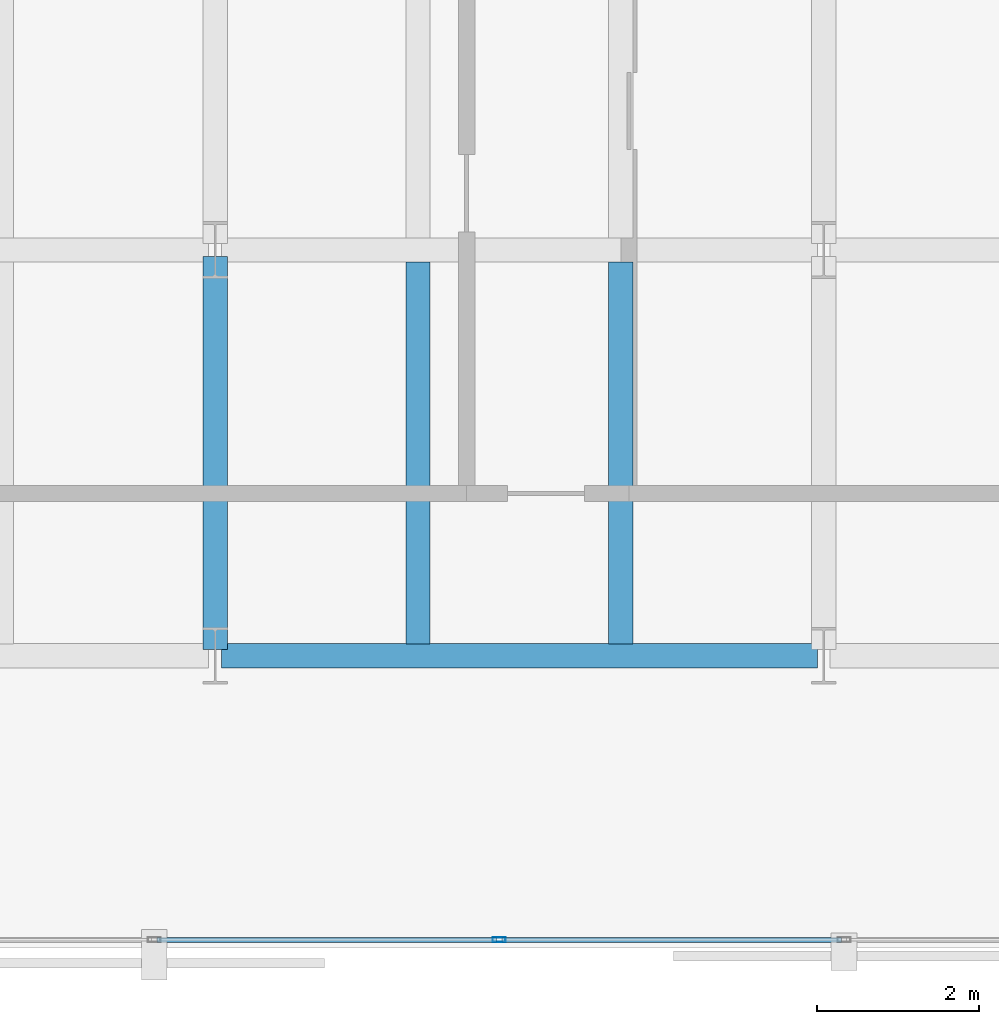
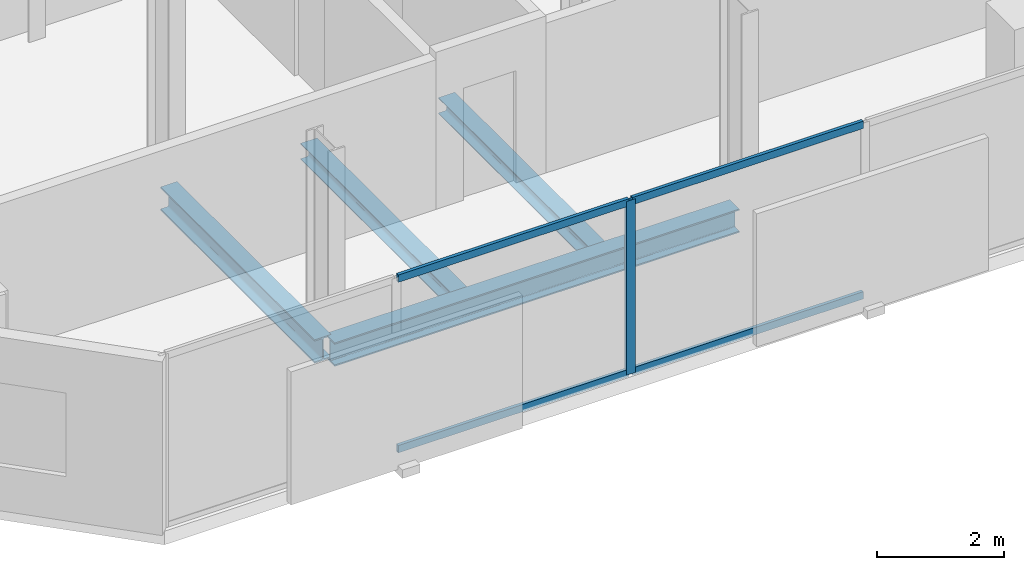
# One storey, part 4 of 34: 5 members, 4 beams, 1 element without a shape of its own.
"""IFC4 building model written with IfcOpenShell, lengths in metres."""

from ifc_helpers import new_model, si_unit, direction, frame, origin, origin_2d, place, context, subcontext, project, spatial, hollow_rectangle, i_section, extrude, material, layer, layer_set, material_profile, profile_set, type_object, element, aggregate, save


model = new_model("IFC4")

# Units and contexts
model_context = context("Model", 3, precision=1e-05, world=origin(), true_north=direction((0.0, 1.0)))
body_context = subcontext(model_context, "Body", "Model", "MODEL_VIEW")
ifc_project = project(units=[si_unit("LENGTHUNIT", "METRE"), si_unit("AREAUNIT", "SQUARE_METRE"), si_unit("VOLUMEUNIT", "CUBIC_METRE"), si_unit("PLANEANGLEUNIT", "RADIAN"), si_unit("MASSUNIT", "GRAM", prefix="KILO")], contexts=[model_context])

# Site, building, storey
site_placement = place(None, origin())
site = spatial("IfcSite", under=ifc_project, at=site_placement, CompositionType="ELEMENT")
building_placement = place(site_placement, origin())
building = spatial("IfcBuilding", under=site, at=building_placement, Name="Catumbela Crestline Tower", CompositionType="ELEMENT")
storey_placement = place(building_placement, frame((0.0, 0.0, 111.6)))
storey = spatial("IfcBuildingStorey", under=building, at=storey_placement, Name="L28", CompositionType="ELEMENT", Elevation=111.6)

# Beams
ifc_material_1 = material(Name="Structural steel S355J2", Category="steel")
ifc_material_profile_1 = material_profile(ifc_material_1, i_section(OverallWidth=0.3, OverallDepth=0.45, WebThickness=0.014, FlangeThickness=0.026, FilletRadius=0.027, at=origin_2d()), Name="HEB 450")
ifc_profile_set_1 = profile_set([ifc_material_profile_1], Name="Structural steel S355J2")
beam_type_1 = type_object("IfcBeamType", Name="BG-HEB450", PredefinedType="BEAM", material=ifc_profile_set_1)
beam_1_placement = place(storey_placement, frame((8.58, 8.6, -0.485), z_axis=(1.0, 0.0, 0.0), x_axis=(0.0, 1.0, 0.0)))
element("IfcBeam", 1, at=beam_1_placement, inside=storey, type_object=beam_type_1, Name="L28 Beam BM-L28-WEW44", PredefinedType="BEAM", context=body_context, shape_type="SweptSolid", body=[
    extrude(i_section(OverallWidth=0.3, OverallDepth=0.45, WebThickness=0.014, FlangeThickness=0.026, FilletRadius=0.027, at=origin_2d()), origin(), (0.0, 0.0, 1.0), 7.34),
])
beam_2_placement = place(storey_placement, frame((8.5, 8.68, -0.485), z_axis=(0.0, 1.0, 0.0), x_axis=(-1.0, 0.0, 0.0)))
element("IfcBeam", 2, at=beam_2_placement, inside=storey, type_object=beam_type_1, Name="L28 Beam BM-L28-WNS55", PredefinedType="BEAM", context=body_context, shape_type="SweptSolid", body=[
    extrude(i_section(OverallWidth=0.3, OverallDepth=0.45, WebThickness=0.014, FlangeThickness=0.026, FilletRadius=0.027, at=origin_2d()), origin(), (0.0, 0.0, 1.0), 4.84),
])
ifc_material_profile_2 = material_profile(ifc_material_1, i_section(OverallWidth=0.3, OverallDepth=0.31, WebThickness=0.009, FlangeThickness=0.0155, FilletRadius=0.027, at=origin_2d()), Name="HEA 320")
ifc_profile_set_2 = profile_set([ifc_material_profile_2], Name="Structural steel S355J2")
beam_type_2 = type_object("IfcBeamType", Name="BJ-HEA320", PredefinedType="JOIST", material=ifc_profile_set_2)
for number, where, z_axis, x_axis, name in (
    (3, (11.0, 8.747, -0.415), (0.0, 1.0, 0.0), (-1.0, 0.0, 0.0), "L28 Joist JS-L28-WG65"),
    (4, (13.5, 8.747, -0.415), (0.0, 1.0, 0.0), (-1.0, 0.0, 0.0), "L28 Joist JS-L28-WG66"),
):
    element("IfcBeam", number, at=place(storey_placement, frame(where, z_axis=z_axis, x_axis=x_axis)), inside=storey, type_object=beam_type_2, Name=name, PredefinedType="JOIST", context=body_context, shape_type="SweptSolid", body=[
        extrude(i_section(OverallWidth=0.3, OverallDepth=0.31, WebThickness=0.009, FlangeThickness=0.0155, FilletRadius=0.027, at=origin_2d()), origin(), (0.0, 0.0, 1.0), 4.706),
    ])

# Curtain wall, members
ifc_material_2 = material(Name="Aluminium alloy AW-6060-T66", Category="aluminium")
ifc_layer = layer(ifc_material_2, 0.18, Name="Aluminium alloy AW-6060-T66")
ifc_layer_set = layer_set([ifc_layer], Name="Aluminium alloy AW-6060-T66")
curtain_wall_type = type_object("IfcCurtainWallType", Name="CWU-Z2", PredefinedType="USERDEFINED", material=ifc_layer_set)
curtain_wall_placement = place(storey_placement, origin())
curtain_wall = element("IfcCurtainWall", 5, at=curtain_wall_placement, inside=storey, type_object=curtain_wall_type, Name="L28 Unitised Curtain Wall CW-L28-E0S1", ObjectType="UNITISED", PredefinedType="USERDEFINED")
ifc_material_profile_3 = material_profile(ifc_material_2, hollow_rectangle(XDim=0.06, YDim=0.16, WallThickness=0.004, at=origin_2d()), Name="ALU 160x60x4")
ifc_profile_set_3 = profile_set([ifc_material_profile_3], Name="Aluminium alloy AW-6060-T66")
member_type_1 = type_object("IfcMemberType", Name="MUL-160X60", PredefinedType="MULLION", material=ifc_profile_set_3)
member_1_placement = place(storey_placement, frame((12.0, 5.1, 0.0), z_axis=(0.0, 0.0, 1.0), x_axis=(0.0, 1.0, 0.0)))
member_1 = element("IfcMember", 6, at=member_1_placement, type_object=member_type_1, Name="CWU-Z2 mullion 3", PredefinedType="MULLION", context=body_context, shape_type="SweptSolid", body=[
    extrude(hollow_rectangle(XDim=0.06, YDim=0.16, WallThickness=0.004, at=origin_2d()), origin(), (0.0, 0.0, 1.0), 3.33),
])
ifc_material_profile_4 = material_profile(ifc_material_2, hollow_rectangle(XDim=0.06, YDim=0.14, WallThickness=0.004, at=origin_2d()), Name="ALU 140x60x4")
ifc_profile_set_4 = profile_set([ifc_material_profile_4], Name="Aluminium alloy AW-6060-T66")
member_type_2 = type_object("IfcMemberType", Name="TRN-140X60", PredefinedType="USERDEFINED", material=ifc_profile_set_4)
member_2_placement = place(storey_placement, frame((7.7825, 5.1, 0.03), z_axis=(1.0, 0.0, 0.0), x_axis=(0.0, 1.0, 0.0)))
member_2 = element("IfcMember", 7, at=member_2_placement, type_object=member_type_2, Name="CWU-Z2 transom 2.1", ObjectType="TRANSOM", PredefinedType="USERDEFINED", context=body_context, shape_type="SweptSolid", body=[
    extrude(hollow_rectangle(XDim=0.06, YDim=0.14, WallThickness=0.004, at=origin_2d()), origin(), (0.0, 0.0, 1.0), 4.185),
])
member_3_placement = place(storey_placement, frame((7.7825, 5.1, 3.3), z_axis=(1.0, 0.0, 0.0), x_axis=(0.0, 1.0, 0.0)))
member_3 = element("IfcMember", 8, at=member_3_placement, type_object=member_type_2, Name="CWU-Z2 transom 2.2", ObjectType="TRANSOM", PredefinedType="USERDEFINED", context=body_context, shape_type="SweptSolid", body=[
    extrude(hollow_rectangle(XDim=0.06, YDim=0.14, WallThickness=0.004, at=origin_2d()), origin(), (0.0, 0.0, 1.0), 4.185),
])
member_4_placement = place(storey_placement, frame((12.0325, 5.1, 0.03), z_axis=(1.0, 0.0, 0.0), x_axis=(0.0, 1.0, 0.0)))
member_4 = element("IfcMember", 9, at=member_4_placement, type_object=member_type_2, Name="CWU-Z2 transom 3.1", ObjectType="TRANSOM", PredefinedType="USERDEFINED", context=body_context, shape_type="SweptSolid", body=[
    extrude(hollow_rectangle(XDim=0.06, YDim=0.14, WallThickness=0.004, at=origin_2d()), origin(), (0.0, 0.0, 1.0), 4.185),
])
member_5_placement = place(storey_placement, frame((12.0325, 5.1, 3.3), z_axis=(1.0, 0.0, 0.0), x_axis=(0.0, 1.0, 0.0)))
member_5 = element("IfcMember", 10, at=member_5_placement, type_object=member_type_2, Name="CWU-Z2 transom 3.2", ObjectType="TRANSOM", PredefinedType="USERDEFINED", context=body_context, shape_type="SweptSolid", body=[
    extrude(hollow_rectangle(XDim=0.06, YDim=0.14, WallThickness=0.004, at=origin_2d()), origin(), (0.0, 0.0, 1.0), 4.185),
])
aggregate(curtain_wall, [member_1, member_2, member_3, member_4, member_5])

save(model, "model.ifc")
